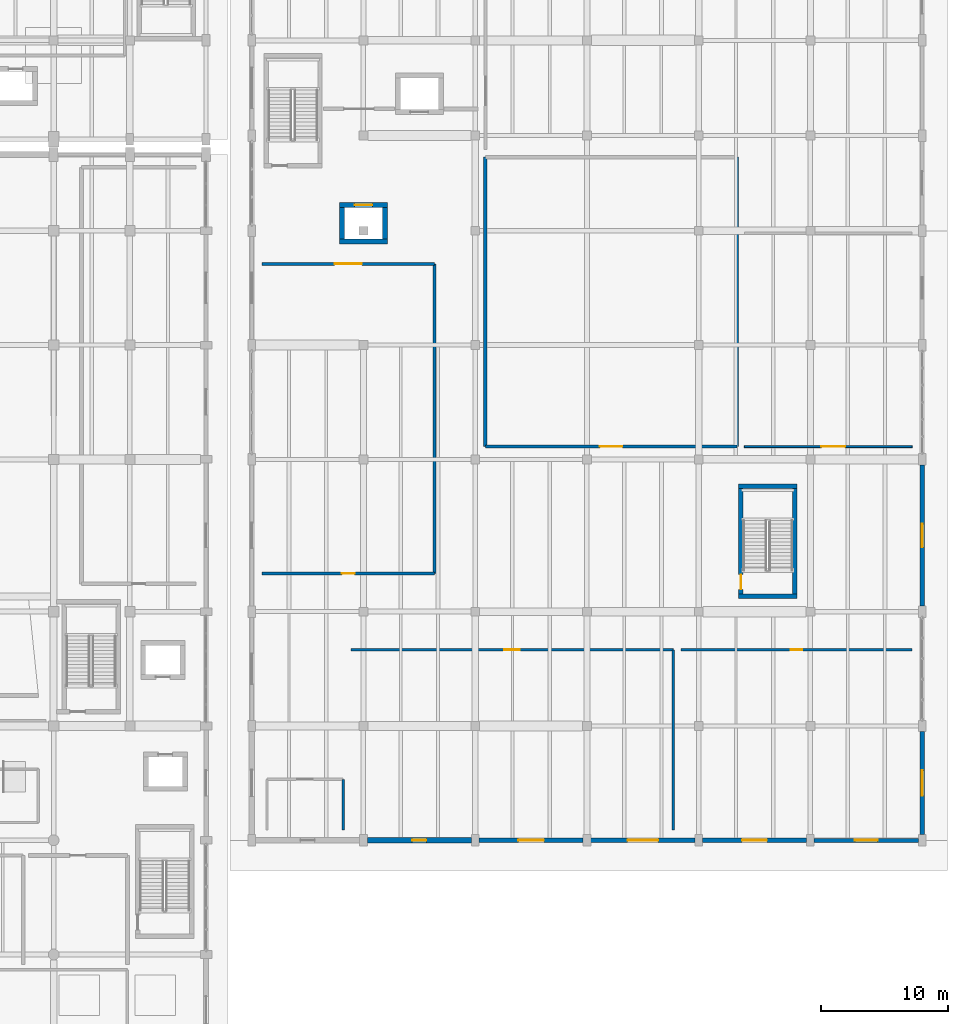
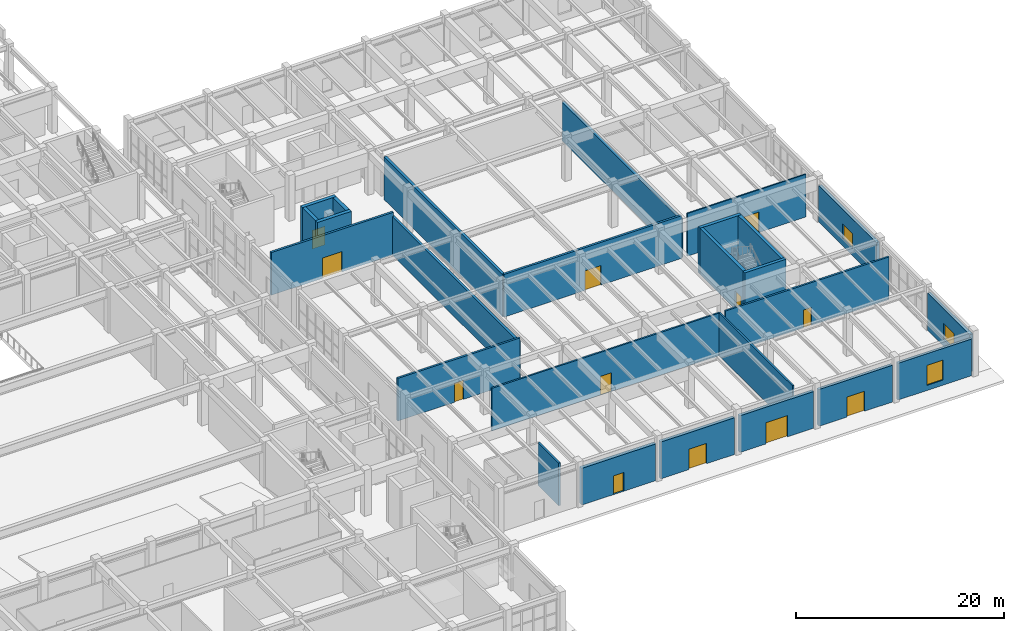
# One storey, part 77 of 91: 26 walls, 12 doors, 3 windows, 15 openings.
"""IFC4 building model written with IfcOpenShell, lengths in metres."""

import ifcopenshell
import ifcopenshell.guid

model = None  # the IFC model being written
_history = None  # IfcOwnerHistory: only IFC2X3 demands one
_inside = {}  # id of a spatial element -> (the spatial element, [elements in it])
_under = {}  # id of a project, library or spatial element -> (it, [spatial elements below it])
_declared = {}  # id of a project -> (the project, [libraries it declares])
_typed = {}  # id of a type object -> (the type object, [elements of that type])
_made_of = {}  # id of a material, layer set ... -> (it, [elements and type objects made of it])


def new_model(schema):
    """Start an empty IFC model of exactly this schema.

    Asked for "IFC4X3", IfcOpenShell would pick the latest addendum, in which some entities
    have other attributes; the version numbers below select the first issue.
    IFC2X3 requires an IfcOwnerHistory on every rooted entity: one is made here for all.
    """
    global model, _history
    if schema == "IFC4X3":
        model = ifcopenshell.file(schema_version=(4, 3, 0, 0))
    else:
        model = ifcopenshell.file(schema=schema)
    _inside.clear()
    _under.clear()
    _declared.clear()
    _typed.clear()
    _made_of.clear()
    _history = None
    if model.schema == "IFC2X3":
        org = make("IfcOrganization", Name="unknown")
        user = make(
            "IfcPersonAndOrganization",
            ThePerson=make("IfcPerson", FamilyName="unknown"),
            TheOrganization=org,
        )
        app = make(
            "IfcApplication",
            ApplicationDeveloper=org,
            Version="unknown",
            ApplicationFullName="unknown",
            ApplicationIdentifier="unknown",
        )
        _history = make(
            "IfcOwnerHistory",
            OwningUser=user,
            OwningApplication=app,
            ChangeAction="ADDED",
            CreationDate=0,
        )
    return model


def make(cls, **values):
    """One entity of the class cls with the attributes given. An attribute that is None is left unset."""
    return model.create_entity(
        cls, **{name: value for name, value in values.items() if value is not None}
    )


def rooted(cls, **values):
    """An entity with a GlobalId (a new one), such as an element, a storey or a relation."""
    return make(cls, GlobalId=ifcopenshell.guid.new(), OwnerHistory=_history, **values)


def si_unit(unit_type, name, prefix=None):
    """IfcSIUnit, for example si_unit("LENGTHUNIT", "METRE", prefix="MILLI")."""
    return make("IfcSIUnit", UnitType=unit_type, Prefix=prefix, Name=name)


def assignment(units):
    """IfcUnitAssignment: the units of a project."""
    return None if units is None else make("IfcUnitAssignment", Units=units)


def point(xyz):
    """IfcCartesianPoint."""
    return None if xyz is None else make("IfcCartesianPoint", Coordinates=xyz)


def direction(xyz):
    """IfcDirection."""
    return None if xyz is None else make("IfcDirection", DirectionRatios=xyz)


def frame(location, z_axis=None, x_axis=None):
    """IfcAxis2Placement3D, a coordinate frame: its origin and axes. An axis left out is left unset."""
    return make(
        "IfcAxis2Placement3D",
        Location=point(location),
        Axis=direction(z_axis),
        RefDirection=direction(x_axis),
    )


def frame_2d(location, x_axis=None):
    """IfcAxis2Placement2D, a coordinate frame in the plane: its origin and x axis."""
    return make(
        "IfcAxis2Placement2D", Location=point(location), RefDirection=direction(x_axis)
    )


def origin():
    """The frame at (0, 0, 0) with its axes left unset."""
    return frame((0.0, 0.0, 0.0))


def place(relative_to, where):
    """IfcLocalPlacement: puts the frame where relative to a parent placement (None: the world)."""
    return make(
        "IfcLocalPlacement", PlacementRelTo=relative_to, RelativePlacement=where
    )


def context(
    kind, dimensions, precision=None, world=None, true_north=None, identifier=None
):
    """IfcGeometricRepresentationContext, for example the 3D "Model" context."""
    return make(
        "IfcGeometricRepresentationContext",
        ContextIdentifier=identifier,
        ContextType=kind,
        CoordinateSpaceDimension=dimensions,
        Precision=precision,
        WorldCoordinateSystem=world,
        TrueNorth=true_north,
    )


def subcontext(parent, identifier, kind, view, scale=None):
    """IfcGeometricRepresentationSubContext, for example "Body" below "Model"."""
    return make(
        "IfcGeometricRepresentationSubContext",
        ContextIdentifier=identifier,
        ContextType=kind,
        ParentContext=parent,
        TargetScale=scale,
        TargetView=view,
    )


def project(units=None, contexts=None):
    """IfcProject with its units and contexts."""
    return rooted(
        "IfcProject",
        Name="project",
        RepresentationContexts=contexts,
        UnitsInContext=assignment(units),
    )


def spatial(cls, under=None, at=None, **own):
    """A site, building, storey or space (cls), placed at a placement, below another one or the project."""
    s = rooted(cls, ObjectPlacement=at, **own)
    if under is not None:
        _under.setdefault(under.id(), (under, []))[1].append(s)
    return s


def profile(cls, at=None, kind="AREA", **sizes):
    """A parametric profile (cls). Its sizes go by their IFC names, for example OverallWidth=200.0."""
    return make(cls, ProfileType=kind, Position=at, **sizes)


def rectangle(**sizes):
    """IfcRectangleProfileDef."""
    return profile("IfcRectangleProfileDef", **sizes)


def extrude(swept, where, along, depth):
    """IfcExtrudedAreaSolid: the profile swept, set in the frame where, extruded along a direction by depth."""
    return make(
        "IfcExtrudedAreaSolid",
        SweptArea=swept,
        Position=where,
        ExtrudedDirection=direction(along),
        Depth=depth,
    )


def shape(context_of_items, identifier, shape_type, items):
    """IfcShapeRepresentation: the items that make up one representation, for example the "Body"."""
    return make(
        "IfcShapeRepresentation",
        ContextOfItems=context_of_items,
        RepresentationIdentifier=identifier,
        RepresentationType=shape_type,
        Items=items,
    )


def material(Name=None, Category=None):
    """IfcMaterial."""
    return make("IfcMaterial", Name=Name, Category=Category)


def layer(
    of_material, thickness, ventilated=None, Name=None, Category=None, Priority=None
):
    """IfcMaterialLayer: one layer of a wall or slab, of a material (None: an air gap)."""
    return make(
        "IfcMaterialLayer",
        Material=of_material,
        LayerThickness=thickness,
        IsVentilated=ventilated,
        Name=Name,
        Category=Category,
        Priority=Priority,
    )


def layer_set(layers, Name=None):
    """IfcMaterialLayerSet."""
    return make("IfcMaterialLayerSet", MaterialLayers=layers, LayerSetName=Name)


def made_of(thing, what):
    """Note that an element or type object is made of a material, layer set ...; save() writes the relation."""
    if what is not None:
        _made_of.setdefault(what.id(), (what, []))[1].append(thing)
    return thing


def type_object(cls, material=None, **own):
    """A type object (cls), such as IfcWallType, which elements share."""
    return made_of(rooted(cls, **own), material)


def element(
    cls,
    number,
    at=None,
    inside=None,
    cuts=None,
    type_object=None,
    material=None,
    context=None,
    identifier="Body",
    shape_type=None,
    held_by="IfcProductDefinitionShape",
    body=None,
    shapes=None,
    **own,
):
    """One element of the class cls, such as IfcWall. Its Tag is "e" and its number.

    at: its placement. inside: the storey or other place that contains it. cuts: it is an
    opening in that element (IfcRelVoidsElement). A single representation is given by context,
    identifier, shape_type and body (its items); several are given by shapes. held_by: the class
    of the entity that holds the representations. save() writes the other relations.
    """
    e = rooted(cls, Tag="e%d" % number, ObjectPlacement=at, **own)
    if body is not None:
        shapes = [shape(context, identifier, shape_type, body)]
    if shapes is not None:
        e.Representation = make(held_by, Representations=shapes)
    if inside is not None:
        _inside.setdefault(inside.id(), (inside, []))[1].append(e)
    if cuts is not None:
        rooted(
            "IfcRelVoidsElement", RelatingBuildingElement=cuts, RelatedOpeningElement=e
        )
    if type_object is not None:
        _typed.setdefault(type_object.id(), (type_object, []))[1].append(e)
    return made_of(e, material)


def fill(opening, filler):
    """IfcRelFillsElement: the door or window that sits in an opening."""
    return rooted(
        "IfcRelFillsElement",
        RelatingOpeningElement=opening,
        RelatedBuildingElement=filler,
    )


def aggregate(whole, parts):
    """IfcRelAggregates: a whole, such as a stair, and the parts it consists of."""
    return rooted("IfcRelAggregates", RelatingObject=whole, RelatedObjects=parts)


def save(model, path):
    """Write the relations noted so far, then the file.

    IfcRelAggregates (storeys below a building ...), IfcRelContainedInSpatialStructure (elements
    in a storey), IfcRelDefinesByType, IfcRelAssociatesMaterial and IfcRelDeclares: one each for
    every whole, place, type object, material and project.
    """
    for whole, parts in _under.values():
        aggregate(whole, parts)
    for where, things in _inside.values():
        rooted(
            "IfcRelContainedInSpatialStructure",
            RelatedElements=things,
            RelatingStructure=where,
        )
    for kind, things in _typed.values():
        rooted("IfcRelDefinesByType", RelatedObjects=things, RelatingType=kind)
    for what, things in _made_of.values():
        rooted("IfcRelAssociatesMaterial", RelatedObjects=things, RelatingMaterial=what)
    for by, libraries in _declared.values():
        rooted("IfcRelDeclares", RelatingContext=by, RelatedDefinitions=libraries)
    model.write(path)


model = new_model("IFC4")

# Units and contexts
model_context = context("Model", 3, precision=1e-05, world=origin(), true_north=direction((0.0, 1.0)))
body_context = subcontext(model_context, "Body", "Model", "MODEL_VIEW")
ifc_project = project(units=[si_unit("LENGTHUNIT", "METRE"), si_unit("AREAUNIT", "SQUARE_METRE"), si_unit("VOLUMEUNIT", "CUBIC_METRE"), si_unit("PLANEANGLEUNIT", "RADIAN"), si_unit("MASSUNIT", "GRAM", prefix="KILO")], contexts=[model_context])

# Site, building, storey
site_placement = place(None, origin())
site = spatial("IfcSite", under=ifc_project, at=site_placement, CompositionType="ELEMENT")
building_placement = place(site_placement, origin())
building = spatial("IfcBuilding", under=site, at=building_placement, Name="Vaelkrest Opera House", CompositionType="ELEMENT")
storey_placement = place(building_placement, origin())
storey = spatial("IfcBuildingStorey", under=building, at=storey_placement, Name="L00", CompositionType="ELEMENT", Elevation=0.0)

# Wall, opening, window
ifc_material_1 = material(Name="American black walnut acoustic timber", Category="wood")
ifc_layer_1 = layer(ifc_material_1, 0.31494140625)
ifc_layer_set_1 = layer_set([ifc_layer_1], Name="American black walnut acoustic timber")
wall_type_1 = type_object("IfcWallType", Name="EW04", PredefinedType="STANDARD", material=ifc_layer_set_1)
wall_1_placement = place(storey_placement, frame((86.10205078125, -37.800048828125, 0.0), z_axis=(0.0, 0.0, 1.0), x_axis=(-1.0, 0.0, 0.0)))
wall_1 = element("IfcWall", 1, at=wall_1_placement, inside=storey, type_object=wall_type_1, Name="Exterior facade wall EW-V4-L00-0204", PredefinedType="STANDARD", context=body_context, shape_type="SweptSolid", body=[
    extrude(rectangle(XDim=8.2041015625, YDim=0.31494140625, at=frame_2d((4.10205078125, 0.0))), origin(), (0.0, 0.0, 1.0), 4.320068359375),
])
opening_1_placement = place(wall_1_placement, frame((3.201904296875, 0.0, 0.60009765625)))
opening_1 = element("IfcOpeningElement", 2, at=opening_1_placement, cuts=wall_1, Name="Opening WN100", PredefinedType="OPENING", context=body_context, shape_type="SweptSolid", body=[
    extrude(rectangle(XDim=1.800048828125, YDim=2.35009765625, at=frame_2d((0.89990234375, 1.175048828125))), frame((0.0, 0.16748046875, 0.0), z_axis=(0.0, -1.0, 0.0), x_axis=(1.0, 0.0, 0.0)), (0.0, 0.0, 1.0), 0.3349609375),
])
ifc_material_2 = material(Name="Double low-E insulated glazing", Category="glass")
window_type_1 = type_object("IfcWindowType", Name="WT22", PartitioningType="SINGLE_PANEL", PredefinedType="WINDOW", material=ifc_material_2)
window_1_placement = place(opening_1_placement, origin())
window_1 = element("IfcWindow", 3, at=window_1_placement, inside=storey, type_object=window_type_1, Name="Facade window WN100", OverallHeight=2.35009765625, OverallWidth=1.800048828125, PartitioningType="SINGLE_PANEL", PredefinedType="WINDOW", context=body_context, shape_type="SweptSolid", body=[
    extrude(rectangle(XDim=1.800048828125, YDim=2.35009765625, at=frame_2d((0.89990234375, 1.175048828125))), frame((0.0, 0.030029296875, 0.0), z_axis=(0.0, -1.0, 0.0), x_axis=(1.0, 0.0, 0.0)), (0.0, 0.0, 1.0), 0.06005859375),
])
fill(opening_1, window_1)

# Wall, opening, door
ifc_layer_2 = layer(ifc_material_1, 0.3349609375)
ifc_layer_set_2 = layer_set([ifc_layer_2], Name="American black walnut acoustic timber")
wall_type_2 = type_object("IfcWallType", Name="EW05", PredefinedType="STANDARD", material=ifc_layer_set_2)
wall_2_placement = place(storey_placement, frame((77.302001953125, -37.800048828125, 0.0), z_axis=(0.0, 0.0, 1.0), x_axis=(-1.0, 0.0, 0.0)))
wall_2 = element("IfcWall", 4, at=wall_2_placement, inside=storey, type_object=wall_type_2, Name="Exterior facade wall EW-V4-L00-0205", PredefinedType="STANDARD", context=body_context, shape_type="SweptSolid", body=[
    extrude(rectangle(XDim=8.2041015625, YDim=0.3349609375, at=frame_2d((4.10205078125, 0.0))), origin(), (0.0, 0.0, 1.0), 4.320068359375),
])
opening_2_placement = place(wall_2_placement, frame((3.126953125, 0.0, 0.0)))
opening_2 = element("IfcOpeningElement", 5, at=opening_2_placement, cuts=wall_2, Name="Opening ED19", PredefinedType="OPENING", context=body_context, shape_type="SweptSolid", body=[
    extrude(rectangle(XDim=1.949951171875, YDim=2.35009765625, at=frame_2d((0.97509765625, 1.175048828125))), frame((0.0, 0.177490234375, 0.0), z_axis=(0.0, -1.0, 0.0), x_axis=(1.0, 0.0, 0.0)), (0.0, 0.0, 1.0), 0.35498046875),
])
ifc_material_3 = material(Name="Dark bronze anodized aluminium", Category="aluminium")
door_type_1 = type_object("IfcDoorType", Name="EDT07", OperationType="DOUBLE_DOOR_SINGLE_SWING", PredefinedType="DOOR", material=ifc_material_3)
door_1_placement = place(opening_2_placement, origin())
door_1 = element("IfcDoor", 6, at=door_1_placement, inside=storey, type_object=door_type_1, Name="Exterior exit door ED19", OperationType="DOUBLE_DOOR_SINGLE_SWING", OverallHeight=2.35009765625, OverallWidth=1.949951171875, PredefinedType="DOOR", context=body_context, shape_type="SweptSolid", body=[
    extrude(rectangle(XDim=1.949951171875, YDim=2.35009765625, at=frame_2d((0.97509765625, 1.175048828125))), frame((0.0, 0.02490234375, 0.0), z_axis=(0.0, -1.0, 0.0), x_axis=(1.0, 0.0, 0.0)), (0.0, 0.0, 1.0), 0.050048828125),
])
fill(opening_2, door_1)

# Wall, opening, window
wall_3_placement = place(storey_placement, frame((86.39990234375, -8.248046875, 0.0), z_axis=(0.0, 0.0, 1.0), x_axis=(0.0, -1.0, 0.0)))
wall_3 = element("IfcWall", 7, at=wall_3_placement, inside=storey, type_object=wall_type_2, Name="Exterior facade wall EW-V4-L00-0225", PredefinedType="STANDARD", context=body_context, shape_type="SweptSolid", body=[
    extrude(rectangle(XDim=11.10400390625, YDim=0.3349609375, at=frame_2d((5.552001953125, 0.0))), origin(), (0.0, 0.0, 1.0), 4.320068359375),
])
opening_3_placement = place(wall_3_placement, frame((4.626953125, 0.0, 0.85009765625)))
opening_3 = element("IfcOpeningElement", 8, at=opening_3_placement, cuts=wall_3, Name="Opening WN110", PredefinedType="OPENING", context=body_context, shape_type="SweptSolid", body=[
    extrude(rectangle(XDim=1.85009765625, YDim=1.75, at=frame_2d((0.925048828125, 0.875))), frame((0.0, 0.177490234375, 0.0), z_axis=(0.0, -1.0, 0.0), x_axis=(1.0, 0.0, 0.0)), (0.0, 0.0, 1.0), 0.35498046875),
])
window_type_2 = type_object("IfcWindowType", Name="WT06", PartitioningType="SINGLE_PANEL", PredefinedType="WINDOW", material=ifc_material_2)
window_2_placement = place(opening_3_placement, origin())
window_2 = element("IfcWindow", 9, at=window_2_placement, inside=storey, type_object=window_type_2, Name="Facade window WN110", OverallHeight=1.75, OverallWidth=1.85009765625, PartitioningType="SINGLE_PANEL", PredefinedType="WINDOW", context=body_context, shape_type="SweptSolid", body=[
    extrude(rectangle(XDim=1.85009765625, YDim=1.75, at=frame_2d((0.925048828125, 0.875))), frame((0.0, 0.030029296875, 0.0), z_axis=(0.0, -1.0, 0.0), x_axis=(1.0, 0.0, 0.0)), (0.0, 0.0, 1.0), 0.06005859375),
])
fill(opening_3, window_2)

# Wall, opening, door
ifc_layer_3 = layer(ifc_material_1, 0.360107421875)
ifc_layer_set_3 = layer_set([ifc_layer_3], Name="American black walnut acoustic timber")
wall_type_3 = type_object("IfcWallType", Name="EW06", PredefinedType="STANDARD", material=ifc_layer_set_3)
wall_4_placement = place(storey_placement, frame((68.501953125, -37.800048828125, 0.0), z_axis=(0.0, 0.0, 1.0), x_axis=(-1.0, 0.0, 0.0)))
wall_4 = element("IfcWall", 10, at=wall_4_placement, inside=storey, type_object=wall_type_3, Name="Exterior facade wall EW-V4-L00-0206", PredefinedType="STANDARD", context=body_context, shape_type="SweptSolid", body=[
    extrude(rectangle(XDim=8.203857421875, YDim=0.360107421875, at=frame_2d((4.10205078125, 0.0))), origin(), (0.0, 0.0, 1.0), 4.320068359375),
])
opening_4_placement = place(wall_4_placement, frame((2.902099609375, 0.0, 0.0)))
opening_4 = element("IfcOpeningElement", 11, at=opening_4_placement, cuts=wall_4, Name="Opening ED20", PredefinedType="OPENING", context=body_context, shape_type="SweptSolid", body=[
    extrude(rectangle(XDim=2.39990234375, YDim=2.5, at=frame_2d((1.199951171875, 1.25))), frame((0.0, 0.18994140625, 0.0), z_axis=(0.0, -1.0, 0.0), x_axis=(1.0, 0.0, 0.0)), (0.0, 0.0, 1.0), 0.380126953125),
])
door_type_2 = type_object("IfcDoorType", Name="EDT08", OperationType="DOUBLE_DOOR_SINGLE_SWING", PredefinedType="DOOR", material=ifc_material_3)
door_2_placement = place(opening_4_placement, origin())
door_2 = element("IfcDoor", 12, at=door_2_placement, inside=storey, type_object=door_type_2, Name="Exterior exit door ED20", OperationType="DOUBLE_DOOR_SINGLE_SWING", OverallHeight=2.5, OverallWidth=2.39990234375, PredefinedType="DOOR", context=body_context, shape_type="SweptSolid", body=[
    extrude(rectangle(XDim=2.39990234375, YDim=2.5, at=frame_2d((1.199951171875, 1.25))), frame((0.0, 0.02490234375, 0.0), z_axis=(0.0, -1.0, 0.0), x_axis=(1.0, 0.0, 0.0)), (0.0, 0.0, 1.0), 0.050048828125),
])
fill(opening_4, door_2)

# Wall, opening, window
wall_5_placement = place(storey_placement, frame((86.39990234375, -29.248046875, 0.0), z_axis=(0.0, 0.0, 1.0), x_axis=(0.0, -1.0, 0.0)))
wall_5 = element("IfcWall", 13, at=wall_5_placement, inside=storey, type_object=wall_type_3, Name="Exterior facade wall EW-V4-L00-0226", PredefinedType="STANDARD", context=body_context, shape_type="SweptSolid", body=[
    extrude(rectangle(XDim=8.10400390625, YDim=0.360107421875, at=frame_2d((4.052001953125, 0.0))), origin(), (0.0, 0.0, 1.0), 4.404052734375),
])
opening_5_placement = place(wall_5_placement, frame((3.052001953125, 0.0, 0.85009765625)))
opening_5 = element("IfcOpeningElement", 14, at=opening_5_placement, cuts=wall_5, Name="Opening WN111", PredefinedType="OPENING", context=body_context, shape_type="SweptSolid", body=[
    extrude(rectangle(XDim=2.0, YDim=1.85009765625, at=frame_2d((1.0, 0.925048828125))), frame((0.0, 0.18994140625, 0.0), z_axis=(0.0, -1.0, 0.0), x_axis=(1.0, 0.0, 0.0)), (0.0, 0.0, 1.0), 0.380126953125),
])
window_type_3 = type_object("IfcWindowType", Name="WT07", PartitioningType="SINGLE_PANEL", PredefinedType="WINDOW", material=ifc_material_2)
window_3_placement = place(opening_5_placement, origin())
window_3 = element("IfcWindow", 15, at=window_3_placement, inside=storey, type_object=window_type_3, Name="Facade window WN111", OverallHeight=1.85009765625, OverallWidth=2.0, PartitioningType="SINGLE_PANEL", PredefinedType="WINDOW", context=body_context, shape_type="SweptSolid", body=[
    extrude(rectangle(XDim=2.0, YDim=1.85009765625, at=frame_2d((1.0, 0.925048828125))), frame((0.0, 0.030029296875, 0.0), z_axis=(0.0, -1.0, 0.0), x_axis=(1.0, 0.0, 0.0)), (0.0, 0.0, 1.0), 0.06005859375),
])
fill(opening_5, window_3)

# Wall, opening, door
ifc_material_4 = material(Name="Concrete C40/50", Category="concrete")
ifc_layer_4 = layer(ifc_material_4, 0.385009765625)
ifc_layer_set_4 = layer_set([ifc_layer_4], Name="Concrete C40/50")
wall_type_4 = type_object("IfcWallType", Name="EW07", PredefinedType="STANDARD", material=ifc_layer_set_4)
wall_6_placement = place(storey_placement, frame((59.701904296875, -37.800048828125, 0.0), z_axis=(0.0, 0.0, 1.0), x_axis=(-1.0, 0.0, 0.0)))
wall_6 = element("IfcWall", 16, at=wall_6_placement, inside=storey, type_object=wall_type_4, Name="Exterior facade wall EW-V4-L00-0207", PredefinedType="STANDARD", context=body_context, shape_type="SweptSolid", body=[
    extrude(rectangle(XDim=8.203857421875, YDim=0.385009765625, at=frame_2d((4.10205078125, 0.0))), origin(), (0.0, 0.0, 1.0), 4.320068359375),
])
opening_6_placement = place(wall_6_placement, frame((3.10205078125, 0.0, 0.0)))
opening_6 = element("IfcOpeningElement", 17, at=opening_6_placement, cuts=wall_6, Name="Opening ED21", PredefinedType="OPENING", context=body_context, shape_type="SweptSolid", body=[
    extrude(rectangle(XDim=2.0, YDim=2.39990234375, at=frame_2d((1.0, 1.199951171875))), frame((0.0, 0.202392578125, 0.0), z_axis=(0.0, -1.0, 0.0), x_axis=(1.0, 0.0, 0.0)), (0.0, 0.0, 1.0), 0.405029296875),
])
door_type_3 = type_object("IfcDoorType", Name="EDT01", OperationType="DOUBLE_DOOR_SINGLE_SWING", PredefinedType="DOOR", material=ifc_material_3)
door_3_placement = place(opening_6_placement, origin())
door_3 = element("IfcDoor", 18, at=door_3_placement, inside=storey, type_object=door_type_3, Name="Exterior exit door ED21", OperationType="DOUBLE_DOOR_SINGLE_SWING", OverallHeight=2.39990234375, OverallWidth=2.0, PredefinedType="DOOR", context=body_context, shape_type="SweptSolid", body=[
    extrude(rectangle(XDim=2.0, YDim=2.39990234375, at=frame_2d((1.0, 1.199951171875))), frame((0.0, 0.02490234375, 0.0), z_axis=(0.0, -1.0, 0.0), x_axis=(1.0, 0.0, 0.0)), (0.0, 0.0, 1.0), 0.050048828125),
])
fill(opening_6, door_3)

ifc_layer_5 = layer(ifc_material_4, 0.409912109375)
ifc_layer_set_5 = layer_set([ifc_layer_5], Name="Concrete C40/50")
wall_type_5 = type_object("IfcWallType", Name="EW08", PredefinedType="STANDARD", material=ifc_layer_set_5)
wall_7_placement = place(storey_placement, frame((50.902099609375, -37.800048828125, 0.0), z_axis=(0.0, 0.0, 1.0), x_axis=(-1.0, 0.0, 0.0)))
wall_7 = element("IfcWall", 19, at=wall_7_placement, inside=storey, type_object=wall_type_5, Name="Exterior facade wall EW-V4-L00-0208", PredefinedType="STANDARD", context=body_context, shape_type="SweptSolid", body=[
    extrude(rectangle(XDim=8.2041015625, YDim=0.409912109375, at=frame_2d((4.10205078125, 0.0))), origin(), (0.0, 0.0, 1.0), 4.320068359375),
])
opening_7_placement = place(wall_7_placement, frame((3.5419921875, 0.0, 0.0)))
opening_7 = element("IfcOpeningElement", 20, at=opening_7_placement, cuts=wall_7, Name="Opening ED22", PredefinedType="OPENING", context=body_context, shape_type="SweptSolid", body=[
    extrude(rectangle(XDim=1.1201171875, YDim=2.199951171875, at=frame_2d((0.56005859375, 1.10009765625))), frame((0.0, 0.21484375, 0.0), z_axis=(0.0, -1.0, 0.0), x_axis=(1.0, 0.0, 0.0)), (0.0, 0.0, 1.0), 0.429931640625),
])
door_type_4 = type_object("IfcDoorType", Name="EDT05", OperationType="NOTDEFINED", PredefinedType="DOOR", material=ifc_material_3)
door_4_placement = place(opening_7_placement, origin())
door_4 = element("IfcDoor", 21, at=door_4_placement, inside=storey, type_object=door_type_4, Name="Exterior exit door ED22", OperationType="SINGLE_SWING_LEFT", OverallHeight=2.199951171875, OverallWidth=1.1201171875, PredefinedType="DOOR", context=body_context, shape_type="SweptSolid", body=[
    extrude(rectangle(XDim=1.1201171875, YDim=2.199951171875, at=frame_2d((0.56005859375, 1.10009765625))), frame((0.0, 0.02490234375, 0.0), z_axis=(0.0, -1.0, 0.0), x_axis=(1.0, 0.0, 0.0)), (0.0, 0.0, 1.0), 0.050048828125),
])
fill(opening_7, door_4)

ifc_material_5 = material(Name="Gypsum acoustic board", Category="gypsum")
ifc_layer_6 = layer(ifc_material_5, 0.179931640625)
ifc_layer_set_6 = layer_set([ifc_layer_6], Name="Gypsum acoustic board")
wall_type_6 = type_object("IfcWallType", Name="PT05", PredefinedType="PARTITIONING", material=ifc_layer_set_6)
wall_8_placement = place(storey_placement, frame((41.39990234375, -22.800048828125, 0.0), z_axis=(0.0, 0.0, 1.0), x_axis=(1.0, 0.0, 0.0)))
wall_8 = element("IfcWall", 22, at=wall_8_placement, inside=storey, type_object=wall_type_6, Name="Interior partition PT-V4-L00-0355", PredefinedType="PARTITIONING", context=body_context, shape_type="SweptSolid", body=[
    extrude(rectangle(XDim=25.400146484375, YDim=0.179931640625, at=frame_2d((12.7001953125, 0.0))), origin(), (0.0, 0.0, 1.0), 5.02001953125),
])
opening_8_placement = place(wall_8_placement, frame((12.080078125, 0.0, 0.0)))
opening_8 = element("IfcOpeningElement", 23, at=opening_8_placement, cuts=wall_8, Name="Opening D142", PredefinedType="OPENING", context=body_context, shape_type="SweptSolid", body=[
    extrude(rectangle(XDim=1.239990234375, YDim=2.199951171875, at=frame_2d((0.6201171875, 1.10009765625))), frame((0.0, 0.099853515625, 0.0), z_axis=(0.0, -1.0, 0.0), x_axis=(1.0, 0.0, 0.0)), (0.0, 0.0, 1.0), 0.199951171875),
])
door_type_5 = type_object("IfcDoorType", Name="DT08", OperationType="NOTDEFINED", PredefinedType="DOOR", material=ifc_material_1)
door_5_placement = place(opening_8_placement, origin())
door_5 = element("IfcDoor", 24, at=door_5_placement, inside=storey, type_object=door_type_5, Name="Interior door D142 (Principal Dressing Room)", OperationType="SINGLE_SWING_RIGHT", OverallHeight=2.199951171875, OverallWidth=1.239990234375, PredefinedType="DOOR", context=body_context, shape_type="SweptSolid", body=[
    extrude(rectangle(XDim=1.239990234375, YDim=2.199951171875, at=frame_2d((0.6201171875, 1.10009765625))), frame((0.0, 0.02490234375, 0.0), z_axis=(0.0, -1.0, 0.0), x_axis=(1.0, 0.0, 0.0)), (0.0, 0.0, 1.0), 0.050048828125),
])
fill(opening_8, door_5)

# Walls
ifc_layer_7 = layer(ifc_material_5, 0.195068359375)
ifc_layer_set_7 = layer_set([ifc_layer_7], Name="Gypsum acoustic board")
wall_type_7 = type_object("IfcWallType", Name="PT06", PredefinedType="PARTITIONING", material=ifc_layer_set_7)
wall_9_placement = place(storey_placement, frame((40.800048828125, -37.0, 0.0), z_axis=(0.0, 0.0, 1.0), x_axis=(0.0, 1.0, 0.0)))
element("IfcWall", 25, at=wall_9_placement, inside=storey, type_object=wall_type_7, Name="Interior partition PT-V4-L00-0354", PredefinedType="PARTITIONING", context=body_context, shape_type="SweptSolid", body=[
    extrude(rectangle(XDim=4.0, YDim=0.195068359375, at=frame_2d((2.0, 0.0))), origin(), (0.0, 0.0, 1.0), 5.02001953125),
])
wall_10_placement = place(storey_placement, frame((66.800048828125, -37.0, 0.0), z_axis=(0.0, 0.0, 1.0), x_axis=(0.0, 1.0, 0.0)))
element("IfcWall", 26, at=wall_10_placement, inside=storey, type_object=wall_type_7, Name="Interior partition PT-V4-L00-0356", PredefinedType="PARTITIONING", context=body_context, shape_type="SweptSolid", body=[
    extrude(rectangle(XDim=14.199951171875, YDim=0.195068359375, at=frame_2d((7.10009765625, 0.0))), origin(), (0.0, 0.0, 1.0), 5.02001953125),
])

# Wall, opening, door
ifc_layer_8 = layer(ifc_material_1, 0.2099609375)
ifc_layer_set_8 = layer_set([ifc_layer_8], Name="American black walnut acoustic timber")
wall_type_8 = type_object("IfcWallType", Name="PT07", PredefinedType="PARTITIONING", material=ifc_layer_set_8)
wall_11_placement = place(storey_placement, frame((67.39990234375, -22.800048828125, 0.0), z_axis=(0.0, 0.0, 1.0), x_axis=(1.0, 0.0, 0.0)))
wall_11 = element("IfcWall", 27, at=wall_11_placement, inside=storey, type_object=wall_type_8, Name="Interior partition PT-V4-L00-0357", PredefinedType="PARTITIONING", context=body_context, shape_type="SweptSolid", body=[
    extrude(rectangle(XDim=18.2001953125, YDim=0.2099609375, at=frame_2d((9.10009765625, 0.0))), origin(), (0.0, 0.0, 1.0), 5.02001953125),
])
opening_9_placement = place(wall_11_placement, frame((8.64990234375, 0.0, 0.0)))
opening_9 = element("IfcOpeningElement", 28, at=opening_9_placement, cuts=wall_11, Name="Opening D143", PredefinedType="OPENING", context=body_context, shape_type="SweptSolid", body=[
    extrude(rectangle(XDim=0.89990234375, YDim=2.10009765625, at=frame_2d((0.449951171875, 1.050048828125))), frame((0.0, 0.114990234375, 0.0), z_axis=(0.0, -1.0, 0.0), x_axis=(1.0, 0.0, 0.0)), (0.0, 0.0, 1.0), 0.22998046875),
])
door_type_6 = type_object("IfcDoorType", Name="DT01", OperationType="NOTDEFINED", PredefinedType="DOOR", material=ifc_material_1)
door_6_placement = place(opening_9_placement, origin())
door_6 = element("IfcDoor", 29, at=door_6_placement, inside=storey, type_object=door_type_6, Name="Interior door D143 (Dressing En-Suite Washroom)", OperationType="SINGLE_SWING_LEFT", OverallHeight=2.10009765625, OverallWidth=0.89990234375, PredefinedType="DOOR", context=body_context, shape_type="SweptSolid", body=[
    extrude(rectangle(XDim=0.89990234375, YDim=2.10009765625, at=frame_2d((0.449951171875, 1.050048828125))), frame((0.0, 0.02490234375, 0.0), z_axis=(0.0, -1.0, 0.0), x_axis=(1.0, 0.0, 0.0)), (0.0, 0.0, 1.0), 0.050048828125),
])
fill(opening_9, door_6)

ifc_layer_9 = layer(ifc_material_1, 0.22509765625)
ifc_layer_set_9 = layer_set([ifc_layer_9], Name="American black walnut acoustic timber")
wall_type_9 = type_object("IfcWallType", Name="PT08", PredefinedType="PARTITIONING", material=ifc_layer_set_9)
wall_12_placement = place(storey_placement, frame((34.39990234375, -16.800048828125, 0.0), z_axis=(0.0, 0.0, 1.0), x_axis=(1.0, 0.0, 0.0)))
wall_12 = element("IfcWall", 30, at=wall_12_placement, inside=storey, type_object=wall_type_9, Name="Interior partition PT-V4-L00-0358", PredefinedType="PARTITIONING", context=body_context, shape_type="SweptSolid", body=[
    extrude(rectangle(XDim=13.60009765625, YDim=0.22509765625, at=frame_2d((6.800048828125, 0.0))), origin(), (0.0, 0.0, 1.0), 5.02001953125),
])
opening_10_placement = place(wall_12_placement, frame((6.300048828125, 0.0, 0.0)))
opening_10 = element("IfcOpeningElement", 31, at=opening_10_placement, cuts=wall_12, Name="Opening D144", PredefinedType="OPENING", context=body_context, shape_type="SweptSolid", body=[
    extrude(rectangle(XDim=1.0, YDim=2.25, at=frame_2d((0.5, 1.125))), frame((0.0, 0.12255859375, 0.0), z_axis=(0.0, -1.0, 0.0), x_axis=(1.0, 0.0, 0.0)), (0.0, 0.0, 1.0), 0.2451171875),
])
door_type_7 = type_object("IfcDoorType", Name="DT10", OperationType="NOTDEFINED", PredefinedType="DOOR", material=ifc_material_1)
door_7_placement = place(opening_10_placement, origin())
door_7 = element("IfcDoor", 32, at=door_7_placement, inside=storey, type_object=door_type_7, Name="Interior door D144 (Green Room)", OperationType="SINGLE_SWING_RIGHT", OverallHeight=2.25, OverallWidth=1.0, PredefinedType="DOOR", context=body_context, shape_type="SweptSolid", body=[
    extrude(rectangle(XDim=1.0, YDim=2.25, at=frame_2d((0.5, 1.125))), frame((0.0, 0.02490234375, 0.0), z_axis=(0.0, -1.0, 0.0), x_axis=(1.0, 0.0, 0.0)), (0.0, 0.0, 1.0), 0.050048828125),
])
fill(opening_10, door_7)

ifc_layer_10 = layer(ifc_material_4, 0.239990234375)
ifc_layer_set_10 = layer_set([ifc_layer_10], Name="Concrete C40/50")
wall_type_10 = type_object("IfcWallType", Name="PT09", PredefinedType="PARTITIONING", material=ifc_layer_set_10)
wall_13_placement = place(storey_placement, frame((52.0, -6.800048828125, 0.0), z_axis=(0.0, 0.0, 1.0), x_axis=(1.0, 0.0, 0.0)))
wall_13 = element("IfcWall", 33, at=wall_13_placement, inside=storey, type_object=wall_type_10, Name="Interior partition PT-V4-L00-0345", PredefinedType="PARTITIONING", context=body_context, shape_type="SweptSolid", body=[
    extrude(rectangle(XDim=19.800048828125, YDim=0.239990234375, at=frame_2d((9.89990234375, 0.0))), origin(), (0.0, 0.0, 1.0), 5.02001953125),
])
opening_11_placement = place(wall_13_placement, frame((9.010009765625, 0.0, 0.0)))
opening_11 = element("IfcOpeningElement", 34, at=opening_11_placement, cuts=wall_13, Name="Opening D138", PredefinedType="OPENING", context=body_context, shape_type="SweptSolid", body=[
    extrude(rectangle(XDim=1.780029296875, YDim=2.300048828125, at=frame_2d((0.89013671875, 1.14990234375))), frame((0.0, 0.1298828125, 0.0), z_axis=(0.0, -1.0, 0.0), x_axis=(1.0, 0.0, 0.0)), (0.0, 0.0, 1.0), 0.260009765625),
])
door_type_8 = type_object("IfcDoorType", Name="DT20", OperationType="DOUBLE_DOOR_SINGLE_SWING", PredefinedType="DOOR", material=ifc_material_1)
door_8_placement = place(opening_11_placement, origin())
door_8 = element("IfcDoor", 35, at=door_8_placement, inside=storey, type_object=door_type_8, Name="Interior door D138 (Scenery Workshop)", OperationType="DOUBLE_DOOR_SINGLE_SWING", OverallHeight=2.300048828125, OverallWidth=1.780029296875, PredefinedType="DOOR", context=body_context, shape_type="SweptSolid", body=[
    extrude(rectangle(XDim=1.780029296875, YDim=2.300048828125, at=frame_2d((0.89013671875, 1.14990234375))), frame((0.0, 0.02490234375, 0.0), z_axis=(0.0, -1.0, 0.0), x_axis=(1.0, 0.0, 0.0)), (0.0, 0.0, 1.0), 0.050048828125),
])
fill(opening_11, door_8)

wall_14_placement = place(storey_placement, frame((34.39990234375, 7.60009765625, 0.0), z_axis=(0.0, 0.0, 1.0), x_axis=(1.0, 0.0, 0.0)))
wall_14 = element("IfcWall", 36, at=wall_14_placement, inside=storey, type_object=wall_type_10, Name="Interior partition PT-V4-L00-0359", PredefinedType="PARTITIONING", context=body_context, shape_type="SweptSolid", body=[
    extrude(rectangle(XDim=13.60009765625, YDim=0.239990234375, at=frame_2d((6.800048828125, 0.0))), origin(), (0.0, 0.0, 1.0), 5.02001953125),
])
opening_12_placement = place(wall_14_placement, frame((5.72509765625, 0.0, 0.0)))
opening_12 = element("IfcOpeningElement", 37, at=opening_12_placement, cuts=wall_14, Name="Opening D145", PredefinedType="OPENING", context=body_context, shape_type="SweptSolid", body=[
    extrude(rectangle(XDim=2.14990234375, YDim=2.39990234375, at=frame_2d((1.074951171875, 1.199951171875))), frame((0.0, 0.1298828125, 0.0), z_axis=(0.0, -1.0, 0.0), x_axis=(1.0, 0.0, 0.0)), (0.0, 0.0, 1.0), 0.260009765625),
])
door_type_9 = type_object("IfcDoorType", Name="DT17", OperationType="DOUBLE_DOOR_SINGLE_SWING", PredefinedType="DOOR", material=ifc_material_1)
door_9_placement = place(opening_12_placement, origin())
door_9 = element("IfcDoor", 38, at=door_9_placement, inside=storey, type_object=door_type_9, Name="Interior door D145 (Prop Fabrication Bay)", OperationType="DOUBLE_DOOR_SINGLE_SWING", OverallHeight=2.39990234375, OverallWidth=2.14990234375, PredefinedType="DOOR", context=body_context, shape_type="SweptSolid", body=[
    extrude(rectangle(XDim=2.14990234375, YDim=2.39990234375, at=frame_2d((1.074951171875, 1.199951171875))), frame((0.0, 0.02490234375, 0.0), z_axis=(0.0, -1.0, 0.0), x_axis=(1.0, 0.0, 0.0)), (0.0, 0.0, 1.0), 0.050048828125),
])
fill(opening_12, door_9)

# Walls
ifc_layer_11 = layer(ifc_material_4, 0.260009765625)
ifc_layer_set_11 = layer_set([ifc_layer_11], Name="Concrete C40/50")
wall_type_11 = type_object("IfcWallType", Name="PT10", PredefinedType="PARTITIONING", material=ifc_layer_set_11)
wall_15_placement = place(storey_placement, frame((48.0, -16.800048828125, 0.0), z_axis=(0.0, 0.0, 1.0), x_axis=(0.0, 1.0, 0.0)))
element("IfcWall", 39, at=wall_15_placement, inside=storey, type_object=wall_type_11, Name="Interior partition PT-V4-L00-0360", PredefinedType="PARTITIONING", context=body_context, shape_type="SweptSolid", body=[
    extrude(rectangle(XDim=24.400146484375, YDim=0.260009765625, at=frame_2d((12.2001953125, 0.0))), origin(), (0.0, 0.0, 1.0), 4.54296875),
])
ifc_layer_12 = layer(ifc_material_4, 0.280029296875)
ifc_layer_set_12 = layer_set([ifc_layer_12], Name="Concrete C40/50")
wall_type_12 = type_object("IfcWallType", Name="PT11", PredefinedType="PARTITIONING", material=ifc_layer_set_12)
wall_16_placement = place(storey_placement, frame((52.0, -6.800048828125, 0.0), z_axis=(0.0, 0.0, 1.0), x_axis=(0.0, 1.0, 0.0)))
element("IfcWall", 40, at=wall_16_placement, inside=storey, type_object=wall_type_12, Name="Interior partition PT-V4-L00-0347", PredefinedType="PARTITIONING", context=body_context, shape_type="SweptSolid", body=[
    extrude(rectangle(XDim=22.800048828125, YDim=0.280029296875, at=frame_2d((11.39990234375, 0.0))), origin(), (0.0, 0.0, 1.0), 5.02001953125),
])
ifc_layer_13 = layer(ifc_material_4, 0.304931640625)
ifc_layer_set_13 = layer_set([ifc_layer_13], Name="Concrete C40/50")
wall_type_13 = type_object("IfcWallType", Name="PT12", PredefinedType="PARTITIONING", material=ifc_layer_set_13)
wall_17_placement = place(storey_placement, frame((71.800048828125, -6.800048828125, 0.0), z_axis=(0.0, 0.0, 1.0), x_axis=(0.0, 1.0, 0.0)))
element("IfcWall", 41, at=wall_17_placement, inside=storey, type_object=wall_type_13, Name="Interior partition PT-V4-L00-0348", PredefinedType="PARTITIONING", context=body_context, shape_type="SweptSolid", body=[
    extrude(rectangle(XDim=22.800048828125, YDim=0.304931640625, at=frame_2d((11.39990234375, 0.0))), origin(), (0.0, 0.0, 1.0), 4.552001953125),
])

# Wall, opening, door
ifc_layer_14 = layer(ifc_material_5, 0.14501953125)
ifc_layer_set_14 = layer_set([ifc_layer_14], Name="Gypsum acoustic board")
wall_type_14 = type_object("IfcWallType", Name="PT13", PredefinedType="PARTITIONING", material=ifc_layer_set_14)
wall_18_placement = place(storey_placement, frame((72.39990234375, -6.800048828125, 0.0), z_axis=(0.0, 0.0, 1.0), x_axis=(1.0, 0.0, 0.0)))
wall_18 = element("IfcWall", 42, at=wall_18_placement, inside=storey, type_object=wall_type_14, Name="Interior partition PT-V4-L00-0349", PredefinedType="PARTITIONING", context=body_context, shape_type="SweptSolid", body=[
    extrude(rectangle(XDim=13.2001953125, YDim=0.14501953125, at=frame_2d((6.60009765625, 0.0))), origin(), (0.0, 0.0, 1.0), 5.02001953125),
])
opening_13_placement = place(wall_18_placement, frame((6.0400390625, 0.0, 0.0)))
opening_13 = element("IfcOpeningElement", 43, at=opening_13_placement, cuts=wall_18, Name="Opening D139", PredefinedType="OPENING", context=body_context, shape_type="SweptSolid", body=[
    extrude(rectangle(XDim=1.919921875, YDim=2.39990234375, at=frame_2d((0.9599609375, 1.199951171875))), frame((0.0, 0.08251953125, 0.0), z_axis=(0.0, -1.0, 0.0), x_axis=(1.0, 0.0, 0.0)), (0.0, 0.0, 1.0), 0.1650390625),
])
door_type_10 = type_object("IfcDoorType", Name="DT25", OperationType="DOUBLE_DOOR_SINGLE_SWING", PredefinedType="DOOR", material=ifc_material_1)
door_10_placement = place(opening_13_placement, origin())
door_10 = element("IfcDoor", 44, at=door_10_placement, inside=storey, type_object=door_type_10, Name="Interior door D139 (Paint Frame)", OperationType="DOUBLE_DOOR_SINGLE_SWING", OverallHeight=2.39990234375, OverallWidth=1.919921875, PredefinedType="DOOR", context=body_context, shape_type="SweptSolid", body=[
    extrude(rectangle(XDim=1.919921875, YDim=2.39990234375, at=frame_2d((0.9599609375, 1.199951171875))), frame((0.0, 0.02490234375, 0.0), z_axis=(0.0, -1.0, 0.0), x_axis=(1.0, 0.0, 0.0)), (0.0, 0.0, 1.0), 0.050048828125),
])
fill(opening_13, door_10)

# Wall
ifc_material_6 = material(Name="Concrete C50/60", Category="concrete")
ifc_layer_15 = layer(ifc_material_6, 0.35009765625)
ifc_layer_set_15 = layer_set([ifc_layer_15], Name="Concrete C50/60")
wall_type_15 = type_object("IfcWallType", Name="SW01", PredefinedType="SHEAR", material=ifc_layer_set_15)
wall_19_placement = place(storey_placement, frame((76.550048828125, -18.574951171875, 0.0), z_axis=(0.0, 0.0, 1.0), x_axis=(-1.0, 0.0, 0.0)))
element("IfcWall", 45, at=wall_19_placement, inside=storey, type_object=wall_type_15, Name="Stair core ST10 wall L00 S", PredefinedType="SHEAR", context=body_context, shape_type="SweptSolid", body=[
    extrude(rectangle(XDim=4.60009765625, YDim=0.35009765625, at=frame_2d((2.300048828125, 0.0))), origin(), (0.0, 0.0, 1.0), 5.39990234375),
])

# Wall, opening, door
wall_20_placement = place(storey_placement, frame((72.125, -18.39990234375, 0.0), z_axis=(0.0, 0.0, 1.0), x_axis=(0.0, 1.0, 0.0)))
wall_20 = element("IfcWall", 46, at=wall_20_placement, inside=storey, type_object=wall_type_15, Name="Stair core ST10 wall L00 W", PredefinedType="SHEAR", context=body_context, shape_type="SweptSolid", body=[
    extrude(rectangle(XDim=8.2998046875, YDim=0.35009765625, at=frame_2d((4.14990234375, 0.0))), origin(), (0.0, 0.0, 1.0), 5.39990234375),
])
opening_14_placement = place(wall_20_placement, frame((0.35009765625, 0.0, 0.0)))
opening_14 = element("IfcOpeningElement", 47, at=opening_14_placement, cuts=wall_20, Name="Opening SD-ST10-L00", PredefinedType="OPENING", context=body_context, shape_type="SweptSolid", body=[
    extrude(rectangle(XDim=1.179931640625, YDim=2.14990234375, at=frame_2d((0.58984375, 1.074951171875))), frame((0.0, 0.18505859375, 0.0), z_axis=(0.0, -1.0, 0.0), x_axis=(1.0, 0.0, 0.0)), (0.0, 0.0, 1.0), 0.3701171875),
])
door_type_11 = type_object("IfcDoorType", Name="DT07", OperationType="NOTDEFINED", PredefinedType="DOOR", material=ifc_material_1)
door_11_placement = place(opening_14_placement, origin())
door_11 = element("IfcDoor", 48, at=door_11_placement, inside=storey, type_object=door_type_11, Name="Protected stair door SD-ST10-L00", OperationType="SINGLE_SWING_RIGHT", OverallHeight=2.14990234375, OverallWidth=1.179931640625, PredefinedType="DOOR", context=body_context, shape_type="SweptSolid", body=[
    extrude(rectangle(XDim=1.179931640625, YDim=2.14990234375, at=frame_2d((0.58984375, 1.074951171875))), frame((0.0, 0.02490234375, 0.0), z_axis=(0.0, -1.0, 0.0), x_axis=(1.0, 0.0, 0.0)), (0.0, 0.0, 1.0), 0.050048828125),
])
fill(opening_14, door_11)

# Walls
wall_21_placement = place(storey_placement, frame((71.949951171875, -9.925048828125, 0.0), z_axis=(0.0, 0.0, 1.0), x_axis=(1.0, 0.0, 0.0)))
element("IfcWall", 49, at=wall_21_placement, inside=storey, type_object=wall_type_15, Name="Stair core ST10 wall L00 N", PredefinedType="SHEAR", context=body_context, shape_type="SweptSolid", body=[
    extrude(rectangle(XDim=4.60009765625, YDim=0.35009765625, at=frame_2d((2.300048828125, 0.0))), origin(), (0.0, 0.0, 1.0), 5.39990234375),
])
wall_22_placement = place(storey_placement, frame((76.375, -10.10009765625, 0.0), z_axis=(0.0, 0.0, 1.0), x_axis=(0.0, -1.0, 0.0)))
element("IfcWall", 50, at=wall_22_placement, inside=storey, type_object=wall_type_15, Name="Stair core ST10 wall L00 E", PredefinedType="SHEAR", context=body_context, shape_type="SweptSolid", body=[
    extrude(rectangle(XDim=8.2998046875, YDim=0.35009765625, at=frame_2d((4.14990234375, 0.0))), origin(), (0.0, 0.0, 1.0), 5.39990234375),
])
ifc_layer_16 = layer(ifc_material_6, 0.389892578125)
ifc_layer_set_16 = layer_set([ifc_layer_16], Name="Concrete C50/60")
wall_type_16 = type_object("IfcWallType", Name="SW02", PredefinedType="SHEAR", material=ifc_layer_set_16)
wall_23_placement = place(storey_placement, frame((44.2900390625, 9.35498046875, 0.0), z_axis=(0.0, 0.0, 1.0), x_axis=(-1.0, 0.0, 0.0)))
element("IfcWall", 51, at=wall_23_placement, inside=storey, type_object=wall_type_16, Name="Lift shaft LP06 wall L00 S", PredefinedType="SHEAR", context=body_context, shape_type="SweptSolid", body=[
    extrude(rectangle(XDim=3.780029296875, YDim=0.389892578125, at=frame_2d((1.89013671875, 0.0))), origin(), (0.0, 0.0, 1.0), 5.39990234375),
])

# Wall, opening, door
wall_24_placement = place(storey_placement, frame((40.510009765625, 12.2451171875, 0.0), z_axis=(0.0, 0.0, 1.0), x_axis=(1.0, 0.0, 0.0)))
wall_24 = element("IfcWall", 52, at=wall_24_placement, inside=storey, type_object=wall_type_16, Name="Lift shaft LP06 wall L00 N", PredefinedType="SHEAR", context=body_context, shape_type="SweptSolid", body=[
    extrude(rectangle(XDim=3.780029296875, YDim=0.389892578125, at=frame_2d((1.89013671875, 0.0))), origin(), (0.0, 0.0, 1.0), 5.39990234375),
])
opening_15_placement = place(wall_24_placement, frame((1.18994140625, 0.0, 0.0)))
opening_15 = element("IfcOpeningElement", 53, at=opening_15_placement, cuts=wall_24, Name="Opening LD-LP06-L00", PredefinedType="OPENING", context=body_context, shape_type="SweptSolid", body=[
    extrude(rectangle(XDim=1.39990234375, YDim=2.199951171875, at=frame_2d((0.699951171875, 1.10009765625))), frame((0.0, 0.204833984375, 0.0), z_axis=(0.0, -1.0, 0.0), x_axis=(1.0, 0.0, 0.0)), (0.0, 0.0, 1.0), 0.409912109375),
])
door_type_12 = type_object("IfcDoorType", Name="LDT02", OperationType="SLIDING_TO_LEFT", PredefinedType="DOOR", material=ifc_material_3)
door_12_placement = place(opening_15_placement, origin())
door_12 = element("IfcDoor", 54, at=door_12_placement, inside=storey, type_object=door_type_12, Name="Lift landing sliding door LD-LP06-L00", OperationType="SLIDING_TO_LEFT", OverallHeight=2.199951171875, OverallWidth=1.39990234375, PredefinedType="DOOR", context=body_context, shape_type="SweptSolid", body=[
    extrude(rectangle(XDim=1.39990234375, YDim=2.199951171875, at=frame_2d((0.699951171875, 1.10009765625))), frame((0.0, 0.02490234375, 0.0), z_axis=(0.0, -1.0, 0.0), x_axis=(1.0, 0.0, 0.0)), (0.0, 0.0, 1.0), 0.050048828125),
])
fill(opening_15, door_12)

# Walls
for number, where, z_axis, x_axis, name in (
    (55, (40.705078125, 9.550048828125, 0.0), (0.0, 0.0, 1.0), (0.0, 1.0, 0.0), "Lift shaft LP06 wall L00 W"),
    (56, (44.094970703125, 12.050048828125, 0.0), (0.0, 0.0, 1.0), (0.0, -1.0, 0.0), "Lift shaft LP06 wall L00 E"),
):
    element("IfcWall", number, at=place(storey_placement, frame(where, z_axis=z_axis, x_axis=x_axis)), inside=storey, type_object=wall_type_16, Name=name, PredefinedType="SHEAR", context=body_context, shape_type="SweptSolid", body=[
        extrude(rectangle(XDim=2.5, YDim=0.389892578125, at=frame_2d((1.25, 0.0))), origin(), (0.0, 0.0, 1.0), 5.39990234375),
    ])

save(model, "model.ifc")
